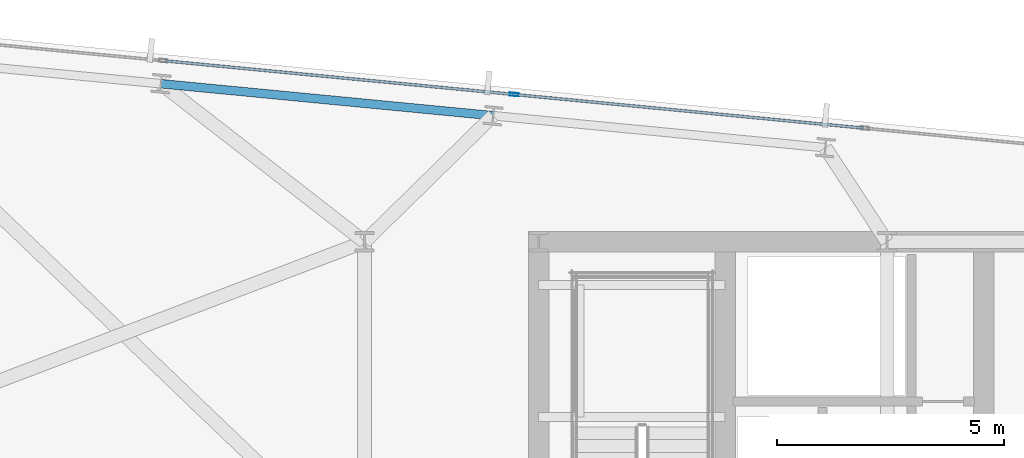
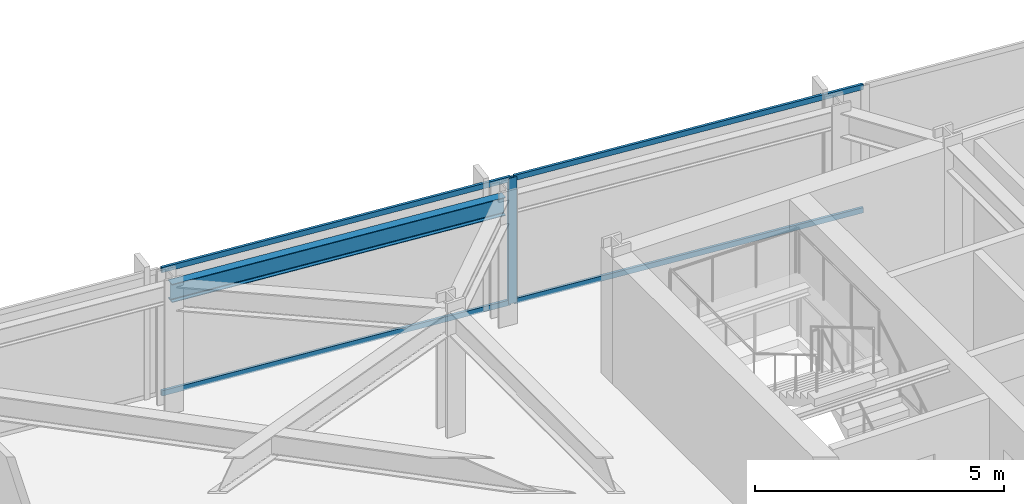
# One storey, part 25 of 37: 5 members, 1 beam, 1 element without a shape of its own.
"""IFC4 building model written with IfcOpenShell, lengths in metres."""

from ifc_helpers import new_model, si_unit, direction, frame, origin, origin_2d, place, context, subcontext, project, spatial, hollow_rectangle, i_section, extrude, material, material_profile, profile_set, type_object, element, aggregate, save


model = new_model("IFC4")

# Units and contexts
model_context = context("Model", 3, precision=1e-05, world=origin(), true_north=direction((0.0, 1.0)))
body_context = subcontext(model_context, "Body", "Model", "MODEL_VIEW")
ifc_project = project(units=[si_unit("LENGTHUNIT", "METRE"), si_unit("AREAUNIT", "SQUARE_METRE"), si_unit("VOLUMEUNIT", "CUBIC_METRE"), si_unit("PLANEANGLEUNIT", "RADIAN"), si_unit("MASSUNIT", "GRAM", prefix="KILO")], contexts=[model_context])

# Site, building, storey
site_placement = place(None, origin())
site = spatial("IfcSite", under=ifc_project, at=site_placement, CompositionType="ELEMENT")
building_placement = place(site_placement, origin())
building = spatial("IfcBuilding", under=site, at=building_placement, Name="Yelkora Congress Tower", CompositionType="ELEMENT")
storey_placement = place(building_placement, frame((0.0, 0.0, 162.199951171875)))
storey = spatial("IfcBuildingStorey", under=building, at=storey_placement, Name="L44", CompositionType="ELEMENT", Elevation=162.199951171875)

# Beam
ifc_material_1 = material(Name="Steel S355J2", Category="steel")
ifc_material_profile_1 = material_profile(ifc_material_1, i_section(OverallWidth=0.18994140625, OverallDepth=0.449951171875, WebThickness=0.009521484375, FlangeThickness=0.0146484375, FilletRadius=0.02099609375, at=origin_2d()), Name="IPE 450")
ifc_profile_set_1 = profile_set([ifc_material_profile_1], Name="Steel S355J2")
beam_type = type_object("IfcBeamType", Name="BM-SPAN-IPE450", PredefinedType="SPANDREL", material=ifc_profile_set_1)
beam_placement = place(storey_placement, frame((22.035400390625, 48.980224609375, 2.85498046875), z_axis=(-0.995393938538, 0.095869218844, 0.0), x_axis=(-0.095869218844, -0.995393938538, 0.0)))
element("IfcBeam", 1, at=beam_placement, inside=storey, type_object=beam_type, Name="L44 Perimeter Beam 14", PredefinedType="SPANDREL", context=body_context, shape_type="SweptSolid", body=[
    extrude(i_section(OverallWidth=0.18994140625, OverallDepth=0.449951171875, WebThickness=0.009521484375, FlangeThickness=0.0146484375, FilletRadius=0.02099609375, at=origin_2d()), origin(), (0.0, 0.0, 1.0), 7.357177734375),
])

# Curtain wall, members
ifc_material_2 = material(Name="Anodised aluminium and insulated glass", Category="aluminium")
curtain_wall_type = type_object("IfcCurtainWallType", Name="CW-SYS-B3", PredefinedType="NOTDEFINED", material=ifc_material_2)
curtain_wall_placement = place(storey_placement, origin())
curtain_wall = element("IfcCurtainWall", 2, at=curtain_wall_placement, inside=storey, type_object=curtain_wall_type, Name="L44 Unitised Curtain Wall 10 (1)", PredefinedType="NOTDEFINED")
ifc_material_3 = material(Name="Anodised aluminium 6063-T6", Category="aluminium")
ifc_material_profile_2 = material_profile(ifc_material_3, hollow_rectangle(XDim=0.070068359375, YDim=0.18994140625, WallThickness=0.00390625, at=origin_2d()), Name="ALU 70x190x4")
ifc_profile_set_2 = profile_set([ifc_material_profile_2], Name="Anodised aluminium 6063-T6")
member_type_1 = type_object("IfcMemberType", Name="MEM-ML-B3", PredefinedType="MULLION", material=ifc_profile_set_2)
member_1_placement = place(storey_placement, frame((22.496826171875, 49.4482421875, 0.0), z_axis=(0.0, 0.0, 1.0), x_axis=(0.095844761168, 0.995396293823, 0.0)))
member_1 = element("IfcMember", 3, at=member_1_placement, type_object=member_type_1, Name="CW-B3 mullion 3", PredefinedType="MULLION", context=body_context, shape_type="SweptSolid", body=[
    extrude(hollow_rectangle(XDim=0.070068359375, YDim=0.18994140625, WallThickness=0.00390625, at=origin_2d()), origin(), (0.0, 0.0, 1.0), 3.080078125),
])
ifc_material_profile_3 = material_profile(ifc_material_3, hollow_rectangle(XDim=0.06005859375, YDim=0.1298828125, WallThickness=0.00390625, at=origin_2d()), Name="ALU 60x130x4")
ifc_profile_set_3 = profile_set([ifc_material_profile_3], Name="Anodised aluminium 6063-T6")
member_type_2 = type_object("IfcMemberType", Name="MEM-TR-B3", PredefinedType="USERDEFINED", material=ifc_profile_set_3)
member_2_placement = place(storey_placement, frame((14.798095703125, 50.189697265625, 0.030029296875), z_axis=(0.995395016973, -0.095858020971, 0.0), x_axis=(0.095858020971, 0.995395016973, 0.0)))
member_2 = element("IfcMember", 4, at=member_2_placement, type_object=member_type_2, Name="CW-B3 transom 2.1", ObjectType="TRANSOM", PredefinedType="USERDEFINED", context=body_context, shape_type="SweptSolid", body=[
    extrude(hollow_rectangle(XDim=0.06005859375, YDim=0.1298828125, WallThickness=0.00390625, at=origin_2d()), origin(), (0.0, 0.0, 1.0), 7.69921875),
])
member_3_placement = place(storey_placement, frame((14.798095703125, 50.189697265625, 3.050048828125), z_axis=(0.995395016973, -0.095858020971, 0.0), x_axis=(0.095858020971, 0.995395016973, 0.0)))
member_3 = element("IfcMember", 5, at=member_3_placement, type_object=member_type_2, Name="CW-B3 transom 2.2", ObjectType="TRANSOM", PredefinedType="USERDEFINED", context=body_context, shape_type="SweptSolid", body=[
    extrude(hollow_rectangle(XDim=0.06005859375, YDim=0.1298828125, WallThickness=0.00390625, at=origin_2d()), origin(), (0.0, 0.0, 1.0), 7.69921875),
])
member_4_placement = place(storey_placement, frame((22.531494140625, 49.44482421875, 0.030029296875), z_axis=(0.995398333273, -0.095823578082, 0.0), x_axis=(0.095823578082, 0.995398333273, 0.0)))
member_4 = element("IfcMember", 6, at=member_4_placement, type_object=member_type_2, Name="CW-B3 transom 3.1", ObjectType="TRANSOM", PredefinedType="USERDEFINED", context=body_context, shape_type="SweptSolid", body=[
    extrude(hollow_rectangle(XDim=0.06005859375, YDim=0.1298828125, WallThickness=0.00390625, at=origin_2d()), origin(), (0.0, 0.0, 1.0), 7.699462890625),
])
member_5_placement = place(storey_placement, frame((22.531494140625, 49.44482421875, 3.050048828125), z_axis=(0.995398333273, -0.095823578082, 0.0), x_axis=(0.095823578082, 0.995398333273, 0.0)))
member_5 = element("IfcMember", 7, at=member_5_placement, type_object=member_type_2, Name="CW-B3 transom 3.2", ObjectType="TRANSOM", PredefinedType="USERDEFINED", context=body_context, shape_type="SweptSolid", body=[
    extrude(hollow_rectangle(XDim=0.06005859375, YDim=0.1298828125, WallThickness=0.00390625, at=origin_2d()), origin(), (0.0, 0.0, 1.0), 7.699462890625),
])
aggregate(curtain_wall, [member_1, member_2, member_3, member_4, member_5])

save(model, "model.ifc")
